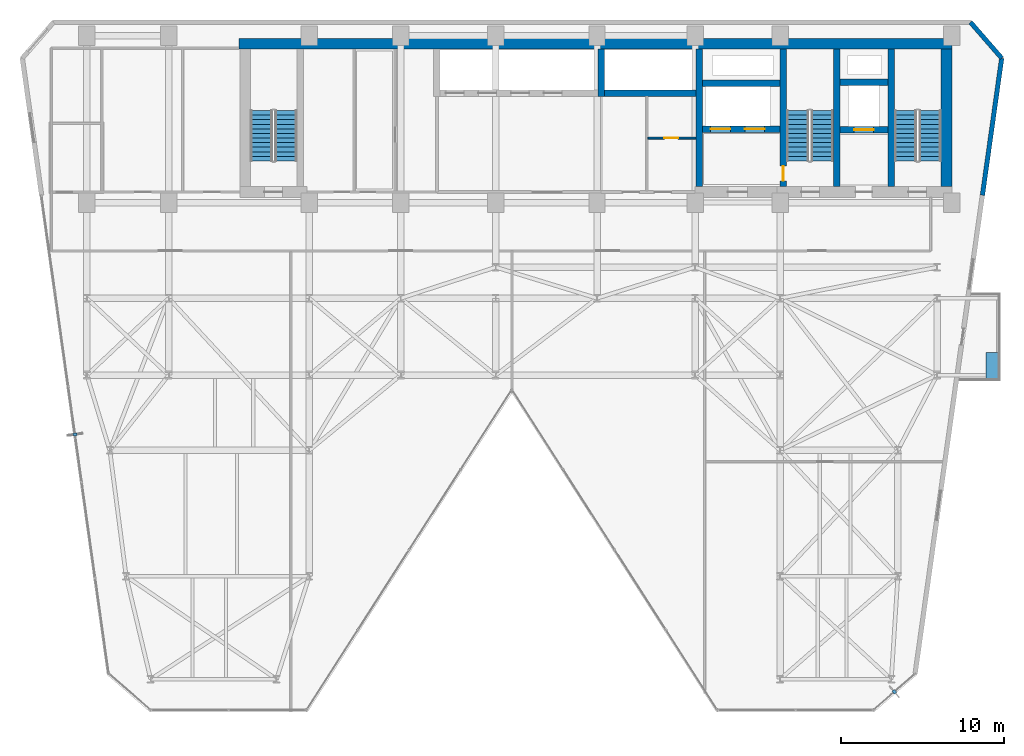
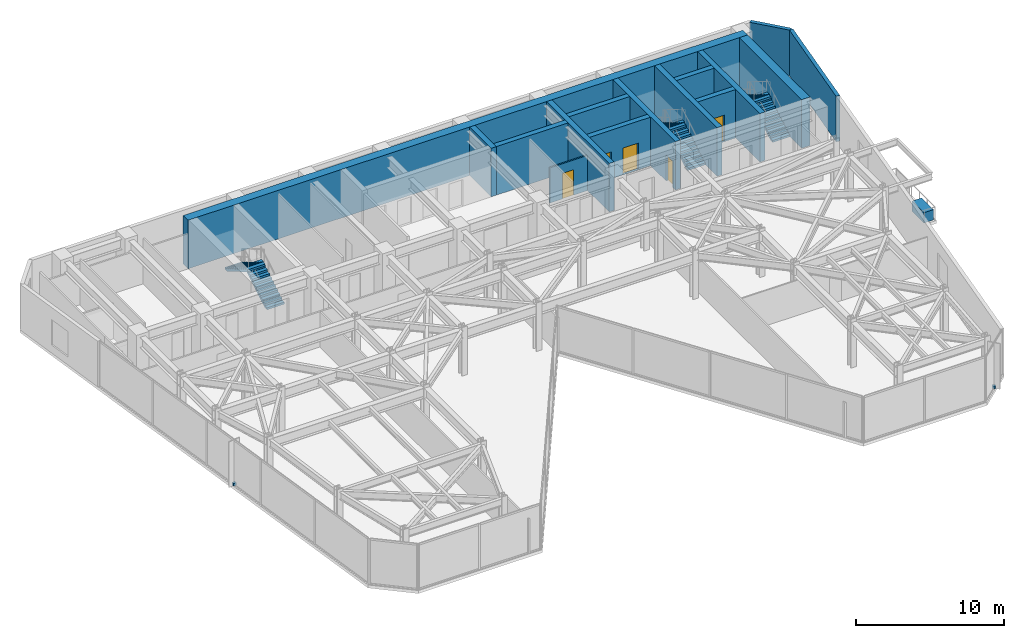
# One storey, part 23 of 26: 15 walls, 6 stair flights, 5 doors, 3 discrete accessories, 5 openings, 3 elements without a shape of their own.
"""IFC4 building model written with IfcOpenShell, lengths in metres."""

from ifc_helpers import new_model, si_unit, direction, frame, frame_2d, origin, origin_2d, place, context, subcontext, project, spatial, polyline, rectangle, outline, extrude, material, layer, layer_set, type_object, element, fill, aggregate, save


model = new_model("IFC4")

# Units and contexts
model_context = context("Model", 3, precision=1e-05, world=origin(), true_north=direction((0.0, 1.0)))
body_context = subcontext(model_context, "Body", "Model", "MODEL_VIEW")
ifc_project = project(units=[si_unit("LENGTHUNIT", "METRE"), si_unit("AREAUNIT", "SQUARE_METRE"), si_unit("VOLUMEUNIT", "CUBIC_METRE"), si_unit("PLANEANGLEUNIT", "RADIAN"), si_unit("MASSUNIT", "GRAM", prefix="KILO")], contexts=[model_context])

# Site, building, storey
site_placement = place(None, origin())
site = spatial("IfcSite", under=ifc_project, at=site_placement, CompositionType="ELEMENT")
building_placement = place(site_placement, origin())
building = spatial("IfcBuilding", under=site, at=building_placement, Name="Kravanh Interchange Tower", CompositionType="ELEMENT")
storey_placement = place(building_placement, frame((0.0, 0.0, 124.0)))
storey = spatial("IfcBuildingStorey", under=building, at=storey_placement, Name="L29", CompositionType="ELEMENT", Elevation=124.0)

# Wall, opening, door
ifc_material_1 = material(Name="Double Acoustic Gypsum Board and Mineral Wool")
ifc_layer_1 = layer(ifc_material_1, 0.1201171875)
ifc_layer_set_1 = layer_set([ifc_layer_1], Name="Acoustic Office Drywall Partition 120mm")
wall_type_1 = type_object("IfcWallType", Name="Acoustic Office Drywall Partition 120mm", PredefinedType="PARTITIONING", material=ifc_layer_set_1)
wall_1_placement = place(storey_placement, frame((47.91796875, 41.300048828125, 0.0), z_axis=(0.0, 0.0, 1.0), x_axis=(1.0, 0.0, 0.0)))
wall_1 = element("IfcWall", 1, at=wall_1_placement, inside=storey, type_object=wall_type_1, Name="L29 Interior Partition 3", PredefinedType="PARTITIONING", context=body_context, shape_type="SweptSolid", body=[
    extrude(rectangle(XDim=2.924072265625, YDim=0.1201171875, at=frame_2d((1.4619140625, 0.0))), origin(), (0.0, 0.0, 1.0), 2.89404296875),
])
opening_1_placement = place(wall_1_placement, frame((0.9912109375, 0.0, 0.0)))
opening_1 = element("IfcOpeningElement", 2, at=opening_1_placement, cuts=wall_1, Name="Opening D-85", PredefinedType="OPENING", context=body_context, shape_type="SweptSolid", body=[
    extrude(rectangle(XDim=0.85009765625, YDim=2.10009765625, at=frame_2d((0.425048828125, 1.050048828125))), frame((0.0, 0.070068359375, 0.0), z_axis=(0.0, -1.0, 0.0), x_axis=(1.0, 0.0, 0.0)), (0.0, 0.0, 1.0), 0.14013671875),
])
ifc_material_2 = material(Name="Engineered Teak Veneer Timber", Category="wood")
door_type_1 = type_object("IfcDoorType", Name="En-Suite Timber Door 850x2100", OperationType="NOTDEFINED", PredefinedType="DOOR", material=ifc_material_2)
door_1_placement = place(opening_1_placement, origin())
door_1 = element("IfcDoor", 3, at=door_1_placement, inside=storey, type_object=door_type_1, Name="L29 Core Supply Inner Door", OperationType="SINGLE_SWING_LEFT", OverallHeight=2.10009765625, OverallWidth=0.85009765625, PredefinedType="DOOR", context=body_context, shape_type="SweptSolid", body=[
    extrude(rectangle(XDim=0.85009765625, YDim=2.10009765625, at=frame_2d((0.425048828125, 1.050048828125))), frame((0.0, 0.02490234375, 0.0), z_axis=(0.0, -1.0, 0.0), x_axis=(1.0, 0.0, 0.0)), (0.0, 0.0, 1.0), 0.050048828125),
])
fill(opening_1, door_1)

# Walls
ifc_material_3 = material(Name="Concrete C70/85", Category="concrete")
ifc_layer_2 = layer(ifc_material_3, 0.64990234375)
ifc_layer_set_2 = layer_set([ifc_layer_2], Name="Core Shear Wall Concrete C70/85 650mm")
wall_type_2 = type_object("IfcWallType", Name="Core Shear Wall Concrete C70/85 650mm", PredefinedType="SHEAR", material=ifc_layer_set_2)
wall_2_placement = place(storey_placement, frame((22.89990234375, 47.074951171875, 0.0), z_axis=(0.0, 0.0, 1.0), x_axis=(1.0, 0.0, 0.0)))
element("IfcWall", 4, at=wall_2_placement, inside=storey, type_object=wall_type_2, Name="L29 North Core Shear Wall", PredefinedType="SHEAR", context=body_context, shape_type="SweptSolid", body=[
    extrude(rectangle(XDim=43.60009765625, YDim=0.64990234375, at=frame_2d((21.800048828125, 0.0))), origin(), (0.0, 0.0, 1.0), 4.0),
])
wall_3_placement = place(storey_placement, frame((66.175048828125, 38.324951171875, 0.0), z_axis=(0.0, 0.0, 1.0), x_axis=(0.0, 1.0, 0.0)))
element("IfcWall", 5, at=wall_3_placement, inside=storey, type_object=wall_type_2, Name="L29 Stair ST1 East Shear Wall", PredefinedType="SHEAR", context=body_context, shape_type="SweptSolid", body=[
    extrude(rectangle(XDim=8.425048828125, YDim=0.64990234375, at=frame_2d((4.21240234375, 0.0))), origin(), (0.0, 0.0, 1.0), 4.0),
])
ifc_material_4 = material(Name="Concrete C80/95", Category="concrete")
ifc_layer_3 = layer(ifc_material_4, 0.39990234375)
ifc_layer_set_3 = layer_set([ifc_layer_3], Name="Core Shear Wall Concrete C80/95 400mm")
wall_type_3 = type_object("IfcWallType", Name="Core Shear Wall Concrete C80/95 400mm", PredefinedType="SHEAR", material=ifc_layer_set_3)
for number, where, z_axis, x_axis, name in (
    (6, (62.800048828125, 38.324951171875, 0.0), (0.0, 0.0, 1.0), (0.0, 1.0, 0.0), "L29 Stair ST1 West Shear Wall"),
    (7, (59.449951171875, 38.324951171875, 0.0), (0.0, 0.0, 1.0), (0.0, 1.0, 0.0), "L29 Stair ST2 East Shear Wall"),
):
    element("IfcWall", number, at=place(storey_placement, frame(where, z_axis=z_axis, x_axis=x_axis)), inside=storey, type_object=wall_type_3, Name=name, PredefinedType="SHEAR", context=body_context, shape_type="SweptSolid", body=[
        extrude(rectangle(XDim=8.425048828125, YDim=0.39990234375, at=frame_2d((4.21240234375, 0.0))), origin(), (0.0, 0.0, 1.0), 4.0),
    ])

# Wall, opening, door
wall_4_placement = place(storey_placement, frame((56.199951171875, 38.324951171875, 0.0), z_axis=(0.0, 0.0, 1.0), x_axis=(0.0, 1.0, 0.0)))
wall_4 = element("IfcWall", 8, at=wall_4_placement, inside=storey, type_object=wall_type_3, Name="L29 Stair ST2 West Shear Wall", PredefinedType="SHEAR", context=body_context, shape_type="SweptSolid", body=[
    extrude(rectangle(XDim=8.425048828125, YDim=0.39990234375, at=frame_2d((4.21240234375, 0.0))), origin(), (0.0, 0.0, 1.0), 4.0),
])
opening_2_placement = place(wall_4_placement, frame((0.35498046875, 0.0, 0.0)))
opening_2 = element("IfcOpeningElement", 9, at=opening_2_placement, cuts=wall_4, Name="Opening D-STAIR-90", PredefinedType="OPENING", context=body_context, shape_type="SweptSolid", body=[
    extrude(rectangle(XDim=0.89990234375, YDim=2.14990234375, at=frame_2d((0.449951171875, 1.074951171875))), frame((0.0, 0.2099609375, 0.0), z_axis=(0.0, -1.0, 0.0), x_axis=(1.0, 0.0, 0.0)), (0.0, 0.0, 1.0), 0.419921875),
])
ifc_material_5 = material(Name="Structural Steel S355", Category="steel")
door_type_2 = type_object("IfcDoorType", Name="Fire-Rated Stair Lobby Door 900x2150", OperationType="NOTDEFINED", PredefinedType="DOOR", material=ifc_material_5)
door_2_placement = place(opening_2_placement, origin())
door_2 = element("IfcDoor", 10, at=door_2_placement, inside=storey, type_object=door_type_2, Name="L29 Firefighting Lobby to Stair ST2 Door", OperationType="SINGLE_SWING_LEFT", OverallHeight=2.14990234375, OverallWidth=0.89990234375, PredefinedType="DOOR", context=body_context, shape_type="SweptSolid", body=[
    extrude(rectangle(XDim=0.89990234375, YDim=2.14990234375, at=frame_2d((0.449951171875, 1.074951171875))), frame((0.0, 0.02490234375, 0.0), z_axis=(0.0, -1.0, 0.0), x_axis=(1.0, 0.0, 0.0)), (0.0, 0.0, 1.0), 0.050048828125),
])
fill(opening_2, door_2)

wall_5_placement = place(storey_placement, frame((59.64990234375, 41.800048828125, 0.0), z_axis=(0.0, 0.0, 1.0), x_axis=(1.0, 0.0, 0.0)))
wall_5 = element("IfcWall", 11, at=wall_5_placement, inside=storey, type_object=wall_type_3, Name="L29 Service Lift Shaft South Wall", PredefinedType="SHEAR", context=body_context, shape_type="SweptSolid", body=[
    extrude(rectangle(XDim=2.9501953125, YDim=0.39990234375, at=frame_2d((1.47509765625, 0.0))), origin(), (0.0, 0.0, 1.0), 4.0),
])
opening_3_placement = place(wall_5_placement, frame((0.8701171875, 0.0, 0.0)))
opening_3 = element("IfcOpeningElement", 12, at=opening_3_placement, cuts=wall_5, Name="Opening LD02", PredefinedType="OPENING", context=body_context, shape_type="SweptSolid", body=[
    extrude(rectangle(XDim=1.199951171875, YDim=2.199951171875, at=frame_2d((0.60009765625, 1.10009765625))), frame((0.0, 0.2099609375, 0.0), z_axis=(0.0, -1.0, 0.0), x_axis=(1.0, 0.0, 0.0)), (0.0, 0.0, 1.0), 0.419921875),
])
ifc_material_6 = material(Name="Stainless Steel 316", Category="steel")
door_type_3 = type_object("IfcDoorType", Name="Fire and Service Lift Sliding Landing Door 1200x2200", OperationType="DOUBLE_DOOR_SLIDING", PredefinedType="DOOR", material=ifc_material_6)
door_3_placement = place(opening_3_placement, origin())
door_3 = element("IfcDoor", 13, at=door_3_placement, inside=storey, type_object=door_type_3, Name="L29 Lift LS-01 Landing Door", OperationType="DOUBLE_DOOR_SLIDING", OverallHeight=2.199951171875, OverallWidth=1.199951171875, PredefinedType="DOOR", context=body_context, shape_type="SweptSolid", body=[
    extrude(rectangle(XDim=1.199951171875, YDim=2.199951171875, at=frame_2d((0.60009765625, 1.10009765625))), frame((0.0, 0.02490234375, 0.0), z_axis=(0.0, -1.0, 0.0), x_axis=(1.0, 0.0, 0.0)), (0.0, 0.0, 1.0), 0.050048828125),
])
fill(opening_3, door_3)

# Wall
wall_6_placement = place(storey_placement, frame((59.64990234375, 44.699951171875, 0.0), z_axis=(0.0, 0.0, 1.0), x_axis=(1.0, 0.0, 0.0)))
element("IfcWall", 14, at=wall_6_placement, inside=storey, type_object=wall_type_3, Name="L29 Service Lift Shaft North Wall", PredefinedType="SHEAR", context=body_context, shape_type="SweptSolid", body=[
    extrude(rectangle(XDim=2.9501953125, YDim=0.39990234375, at=frame_2d((1.47509765625, 0.0))), origin(), (0.0, 0.0, 1.0), 4.0),
])

# Wall, openings, doors
wall_7_placement = place(storey_placement, frame((51.25, 41.85009765625, 0.0), z_axis=(0.0, 0.0, 1.0), x_axis=(1.0, 0.0, 0.0)))
wall_7 = element("IfcWall", 15, at=wall_7_placement, inside=storey, type_object=wall_type_3, Name="L29 Fire Lift Shaft South Wall", PredefinedType="SHEAR", context=body_context, shape_type="SweptSolid", body=[
    extrude(rectangle(XDim=4.75, YDim=0.39990234375, at=frame_2d((2.375, 0.0))), origin(), (0.0, 0.0, 1.0), 4.0),
])
opening_4_placement = place(wall_7_placement, frame((0.5, 0.0, 0.0)))
opening_4 = element("IfcOpeningElement", 16, at=opening_4_placement, cuts=wall_7, Name="Opening LD02", PredefinedType="OPENING", context=body_context, shape_type="SweptSolid", body=[
    extrude(rectangle(XDim=1.199951171875, YDim=2.199951171875, at=frame_2d((0.60009765625, 1.10009765625))), frame((0.0, 0.2099609375, 0.0), z_axis=(0.0, -1.0, 0.0), x_axis=(1.0, 0.0, 0.0)), (0.0, 0.0, 1.0), 0.419921875),
])
opening_5_placement = place(wall_7_placement, frame((2.60009765625, 0.0, 0.0)))
opening_5 = element("IfcOpeningElement", 17, at=opening_5_placement, cuts=wall_7, Name="Opening LD02", PredefinedType="OPENING", context=body_context, shape_type="SweptSolid", body=[
    extrude(rectangle(XDim=1.199951171875, YDim=2.199951171875, at=frame_2d((0.60009765625, 1.10009765625))), frame((0.0, 0.2099609375, 0.0), z_axis=(0.0, -1.0, 0.0), x_axis=(1.0, 0.0, 0.0)), (0.0, 0.0, 1.0), 0.419921875),
])
door_4_placement = place(opening_4_placement, origin())
door_4 = element("IfcDoor", 18, at=door_4_placement, inside=storey, type_object=door_type_3, Name="L29 Lift FSAE-01 Landing Door", OperationType="DOUBLE_DOOR_SLIDING", OverallHeight=2.199951171875, OverallWidth=1.199951171875, PredefinedType="DOOR", context=body_context, shape_type="SweptSolid", body=[
    extrude(rectangle(XDim=1.199951171875, YDim=2.199951171875, at=frame_2d((0.60009765625, 1.10009765625))), frame((0.0, 0.02490234375, 0.0), z_axis=(0.0, -1.0, 0.0), x_axis=(1.0, 0.0, 0.0)), (0.0, 0.0, 1.0), 0.050048828125),
])
fill(opening_4, door_4)
door_5_placement = place(opening_5_placement, origin())
door_5 = element("IfcDoor", 19, at=door_5_placement, inside=storey, type_object=door_type_3, Name="L29 Lift FSAE-02 Landing Door", OperationType="DOUBLE_DOOR_SLIDING", OverallHeight=2.199951171875, OverallWidth=1.199951171875, PredefinedType="DOOR", context=body_context, shape_type="SweptSolid", body=[
    extrude(rectangle(XDim=1.199951171875, YDim=2.199951171875, at=frame_2d((0.60009765625, 1.10009765625))), frame((0.0, 0.02490234375, 0.0), z_axis=(0.0, -1.0, 0.0), x_axis=(1.0, 0.0, 0.0)), (0.0, 0.0, 1.0), 0.050048828125),
])
fill(opening_5, door_5)

# Walls
wall_8_placement = place(storey_placement, frame((51.25, 44.64990234375, 0.0), z_axis=(0.0, 0.0, 1.0), x_axis=(1.0, 0.0, 0.0)))
element("IfcWall", 20, at=wall_8_placement, inside=storey, type_object=wall_type_3, Name="L29 Fire Lift Shaft North Wall", PredefinedType="SHEAR", context=body_context, shape_type="SweptSolid", body=[
    extrude(rectangle(XDim=4.75, YDim=0.39990234375, at=frame_2d((2.375, 0.0))), origin(), (0.0, 0.0, 1.0), 4.0),
])
wall_9_placement = place(storey_placement, frame((51.050048828125, 38.324951171875, 0.0), z_axis=(0.0, 0.0, 1.0), x_axis=(0.0, 1.0, 0.0)))
element("IfcWall", 21, at=wall_9_placement, inside=storey, type_object=wall_type_3, Name="L29 Firefighting Lobby West Wall", PredefinedType="SHEAR", context=body_context, shape_type="SweptSolid", body=[
    extrude(rectangle(XDim=8.425048828125, YDim=0.39990234375, at=frame_2d((4.21240234375, 0.0))), origin(), (0.0, 0.0, 1.0), 4.0),
])
wall_10_placement = place(storey_placement, frame((45.25, 44.050048828125, 0.0), z_axis=(0.0, 0.0, 1.0), x_axis=(1.0, 0.0, 0.0)))
element("IfcWall", 22, at=wall_10_placement, inside=storey, type_object=wall_type_3, Name="L29 High-Rise Lift Shaft South Wall", PredefinedType="SHEAR", context=body_context, shape_type="SweptSolid", body=[
    extrude(rectangle(XDim=5.60009765625, YDim=0.39990234375, at=frame_2d((2.800048828125, 0.0))), origin(), (0.0, 0.0, 1.0), 4.0),
])
wall_11_placement = place(storey_placement, frame((45.050048828125, 43.85009765625, 0.0), z_axis=(0.0, 0.0, 1.0), x_axis=(0.0, 1.0, 0.0)))
element("IfcWall", 23, at=wall_11_placement, inside=storey, type_object=wall_type_3, Name="L29 High-Rise Lift Shaft West Wall", PredefinedType="SHEAR", context=body_context, shape_type="SweptSolid", body=[
    extrude(rectangle(XDim=2.89990234375, YDim=0.39990234375, at=frame_2d((1.449951171875, 0.0))), origin(), (0.0, 0.0, 1.0), 4.0),
])
ifc_material_7 = material(Name="Insulated Precast Concrete C40/50 with Bronze Cladding", Category="concrete")
ifc_layer_4 = layer(ifc_material_7, 0.280029296875)
ifc_layer_set_4 = layer_set([ifc_layer_4], Name="Exterior Insulated Concrete C40/50 Bronze Spandrel Wall 280mm")
wall_type_4 = type_object("IfcWallType", Name="Exterior Insulated Concrete C40/50 Bronze Spandrel Wall 280mm", PredefinedType="STANDARD", material=ifc_layer_set_4)
wall_12_placement = place(storey_placement, frame((67.645263671875, 48.3798828125, 0.0), z_axis=(0.0, 0.0, 1.0), x_axis=(0.656070644076, -0.754699483226, 0.0)))
element("IfcWall", 24, at=wall_12_placement, inside=storey, type_object=wall_type_4, Name="L29 Exterior Wall 4", PredefinedType="STANDARD", context=body_context, shape_type="SweptSolid", body=[
    extrude(rectangle(XDim=2.908447265625, YDim=0.280029296875, at=frame_2d((1.4541015625, 0.0))), origin(), (0.0, 0.0, 1.0), 3.75),
])
wall_13_placement = place(storey_placement, frame((69.553466796875, 46.184814453125, 0.0), z_axis=(0.0, 0.0, 1.0), x_axis=(-0.139180610108, -0.990267013371, 0.0)))
element("IfcWall", 25, at=wall_13_placement, inside=storey, type_object=wall_type_4, Name="L29 Exterior Wall 5", PredefinedType="STANDARD", context=body_context, shape_type="SweptSolid", body=[
    extrude(rectangle(XDim=8.46728515625, YDim=0.280029296875, at=frame_2d((4.233642578125, 0.0))), origin(), (0.0, 0.0, 1.0), 3.75),
])

# Stair, stair flights
ifc_material_8 = material(Name="Concrete C50/60", Category="concrete")
stair_type = type_object("IfcStairType", Name="Core Fire Exit Dogleg Stair Concrete C50/60", PredefinedType="HALF_TURN_STAIR", material=ifc_material_8)
stair_1_placement = place(storey_placement, origin())
stair_1 = element("IfcStair", 26, at=stair_1_placement, inside=storey, type_object=stair_type, Name="L29 Exit Stair ST1", PredefinedType="HALF_TURN_STAIR")
ifc_material_9 = material(Name="Precast Concrete C50/60", Category="concrete")
ifc_layer_5 = layer(ifc_material_9, 0.199951171875)
ifc_layer_set_5 = layer_set([ifc_layer_5], Name="Precast Concrete C50/60 Stair Flight 1350mm")
stair_flight_type = type_object("IfcStairFlightType", Name="Precast Concrete C50/60 Stair Flight 1350mm", PredefinedType="STRAIGHT", material=ifc_layer_set_5)
stair_flight_1_placement = place(storey_placement, frame((65.175048828125, 39.89990234375, 0.0), z_axis=(0.0, 0.0, 1.0), x_axis=(0.0, 1.0, 0.0)))
stair_flight_1 = element("IfcStairFlight", 27, at=stair_flight_1_placement, type_object=stair_flight_type, Name="ST1 flight 1", NumberOfRisers=12, NumberOfTreads=11, PredefinedType="STRAIGHT", RiserHeight=0.166666667, TreadLength=0.28, context=body_context, shape_type="SweptSolid", body=[
    extrude(outline(polyline([(0.0, 0.0), (0.0, 0.166748046875), (0.280029296875, 0.166748046875), (0.280029296875, 0.333251953125), (0.56005859375, 0.333251953125), (0.56005859375, 0.5), (0.840087890625, 0.5), (0.840087890625, 0.666748046875), (1.1201171875, 0.666748046875), (1.1201171875, 0.833251953125), (1.39990234375, 0.833251953125), (1.39990234375, 1.0), (1.679931640625, 1.0), (1.679931640625, 1.166748046875), (1.9599609375, 1.166748046875), (1.9599609375, 1.333251953125), (2.239990234375, 1.333251953125), (2.239990234375, 1.5), (2.52001953125, 1.5), (2.52001953125, 1.666748046875), (2.800048828125, 1.666748046875), (2.800048828125, 1.833251953125), (3.080078125, 1.833251953125), (3.080078125, 2.0), (3.080078125, 1.658935546875), (0.29296875, 0.0), (0.0, 0.0)])), frame((0.0, 0.675048828125, 0.0), z_axis=(0.0, -1.0, 0.0), x_axis=(1.0, 0.0, 0.0)), (0.0, 0.0, 1.0), 1.35009765625),
])
stair_flight_2_placement = place(storey_placement, frame((63.675048828125, 42.97998046875, 2.0), z_axis=(0.0, 0.0, 1.0), x_axis=(0.0, -1.0, 0.0)))
stair_flight_2 = element("IfcStairFlight", 28, at=stair_flight_2_placement, type_object=stair_flight_type, Name="ST1 flight 2", NumberOfRisers=12, NumberOfTreads=11, PredefinedType="STRAIGHT", RiserHeight=0.166666667, TreadLength=0.28, context=body_context, shape_type="SweptSolid", body=[
    extrude(outline(polyline([(0.0, 0.0), (0.0, 0.166748046875), (0.280029296875, 0.166748046875), (0.280029296875, 0.333251953125), (0.56005859375, 0.333251953125), (0.56005859375, 0.5), (0.840087890625, 0.5), (0.840087890625, 0.666748046875), (1.1201171875, 0.666748046875), (1.1201171875, 0.833251953125), (1.39990234375, 0.833251953125), (1.39990234375, 1.0), (1.679931640625, 1.0), (1.679931640625, 1.166748046875), (1.9599609375, 1.166748046875), (1.9599609375, 1.333251953125), (2.239990234375, 1.333251953125), (2.239990234375, 1.5), (2.52001953125, 1.5), (2.52001953125, 1.666748046875), (2.800048828125, 1.666748046875), (2.800048828125, 1.833251953125), (3.080078125, 1.833251953125), (3.080078125, 2.0), (3.080078125, 1.658935546875), (0.29296875, 0.0), (0.0, 0.0)])), frame((0.0, 0.675048828125, 0.0), z_axis=(0.0, -1.0, 0.0), x_axis=(1.0, 0.0, 0.0)), (0.0, 0.0, 1.0), 1.35009765625),
])
aggregate(stair_1, [stair_flight_1, stair_flight_2])

stair_2_placement = place(storey_placement, origin())
stair_2 = element("IfcStair", 29, at=stair_2_placement, inside=storey, type_object=stair_type, Name="L29 Exit Stair ST2", PredefinedType="HALF_TURN_STAIR")
stair_flight_3_placement = place(storey_placement, frame((58.574951171875, 39.89990234375, 0.0), z_axis=(0.0, 0.0, 1.0), x_axis=(0.0, 1.0, 0.0)))
stair_flight_3 = element("IfcStairFlight", 30, at=stair_flight_3_placement, type_object=stair_flight_type, Name="ST2 flight 1", NumberOfRisers=12, NumberOfTreads=11, PredefinedType="STRAIGHT", RiserHeight=0.166666667, TreadLength=0.28, context=body_context, shape_type="SweptSolid", body=[
    extrude(outline(polyline([(0.0, 0.0), (0.0, 0.166748046875), (0.280029296875, 0.166748046875), (0.280029296875, 0.333251953125), (0.56005859375, 0.333251953125), (0.56005859375, 0.5), (0.840087890625, 0.5), (0.840087890625, 0.666748046875), (1.1201171875, 0.666748046875), (1.1201171875, 0.833251953125), (1.39990234375, 0.833251953125), (1.39990234375, 1.0), (1.679931640625, 1.0), (1.679931640625, 1.166748046875), (1.9599609375, 1.166748046875), (1.9599609375, 1.333251953125), (2.239990234375, 1.333251953125), (2.239990234375, 1.5), (2.52001953125, 1.5), (2.52001953125, 1.666748046875), (2.800048828125, 1.666748046875), (2.800048828125, 1.833251953125), (3.080078125, 1.833251953125), (3.080078125, 2.0), (3.080078125, 1.658935546875), (0.29296875, 0.0), (0.0, 0.0)])), frame((0.0, 0.675048828125, 0.0), z_axis=(0.0, -1.0, 0.0), x_axis=(1.0, 0.0, 0.0)), (0.0, 0.0, 1.0), 1.35009765625),
])
stair_flight_4_placement = place(storey_placement, frame((57.074951171875, 42.97998046875, 2.0), z_axis=(0.0, 0.0, 1.0), x_axis=(0.0, -1.0, 0.0)))
stair_flight_4 = element("IfcStairFlight", 31, at=stair_flight_4_placement, type_object=stair_flight_type, Name="ST2 flight 2", NumberOfRisers=12, NumberOfTreads=11, PredefinedType="STRAIGHT", RiserHeight=0.166666667, TreadLength=0.28, context=body_context, shape_type="SweptSolid", body=[
    extrude(outline(polyline([(0.0, 0.0), (0.0, 0.166748046875), (0.280029296875, 0.166748046875), (0.280029296875, 0.333251953125), (0.56005859375, 0.333251953125), (0.56005859375, 0.5), (0.840087890625, 0.5), (0.840087890625, 0.666748046875), (1.1201171875, 0.666748046875), (1.1201171875, 0.833251953125), (1.39990234375, 0.833251953125), (1.39990234375, 1.0), (1.679931640625, 1.0), (1.679931640625, 1.166748046875), (1.9599609375, 1.166748046875), (1.9599609375, 1.333251953125), (2.239990234375, 1.333251953125), (2.239990234375, 1.5), (2.52001953125, 1.5), (2.52001953125, 1.666748046875), (2.800048828125, 1.666748046875), (2.800048828125, 1.833251953125), (3.080078125, 1.833251953125), (3.080078125, 2.0), (3.080078125, 1.658935546875), (0.29296875, 0.0), (0.0, 0.0)])), frame((0.0, 0.675048828125, 0.0), z_axis=(0.0, -1.0, 0.0), x_axis=(1.0, 0.0, 0.0)), (0.0, 0.0, 1.0), 1.35009765625),
])
aggregate(stair_2, [stair_flight_3, stair_flight_4])

stair_3_placement = place(storey_placement, origin())
stair_3 = element("IfcStair", 32, at=stair_3_placement, inside=storey, type_object=stair_type, Name="L29 Exit Stair ST3", PredefinedType="HALF_TURN_STAIR")
stair_flight_5_placement = place(storey_placement, frame((25.77490234375, 39.89990234375, 0.0), z_axis=(0.0, 0.0, 1.0), x_axis=(0.0, 1.0, 0.0)))
stair_flight_5 = element("IfcStairFlight", 33, at=stair_flight_5_placement, type_object=stair_flight_type, Name="ST3 flight 1", NumberOfRisers=12, NumberOfTreads=11, PredefinedType="STRAIGHT", RiserHeight=0.166666667, TreadLength=0.28, context=body_context, shape_type="SweptSolid", body=[
    extrude(outline(polyline([(0.0, 0.0), (0.0, 0.166748046875), (0.280029296875, 0.166748046875), (0.280029296875, 0.333251953125), (0.56005859375, 0.333251953125), (0.56005859375, 0.5), (0.840087890625, 0.5), (0.840087890625, 0.666748046875), (1.1201171875, 0.666748046875), (1.1201171875, 0.833251953125), (1.39990234375, 0.833251953125), (1.39990234375, 1.0), (1.679931640625, 1.0), (1.679931640625, 1.166748046875), (1.9599609375, 1.166748046875), (1.9599609375, 1.333251953125), (2.239990234375, 1.333251953125), (2.239990234375, 1.5), (2.52001953125, 1.5), (2.52001953125, 1.666748046875), (2.800048828125, 1.666748046875), (2.800048828125, 1.833251953125), (3.080078125, 1.833251953125), (3.080078125, 2.0), (3.080078125, 1.658935546875), (0.29296875, 0.0), (0.0, 0.0)])), frame((0.0, 0.675048828125, 0.0), z_axis=(0.0, -1.0, 0.0), x_axis=(1.0, 0.0, 0.0)), (0.0, 0.0, 1.0), 1.35009765625),
])
stair_flight_6_placement = place(storey_placement, frame((24.27490234375, 42.97998046875, 2.0), z_axis=(0.0, 0.0, 1.0), x_axis=(0.0, -1.0, 0.0)))
stair_flight_6 = element("IfcStairFlight", 34, at=stair_flight_6_placement, type_object=stair_flight_type, Name="ST3 flight 2", NumberOfRisers=12, NumberOfTreads=11, PredefinedType="STRAIGHT", RiserHeight=0.166666667, TreadLength=0.28, context=body_context, shape_type="SweptSolid", body=[
    extrude(outline(polyline([(0.0, 0.0), (0.0, 0.166748046875), (0.280029296875, 0.166748046875), (0.280029296875, 0.333251953125), (0.56005859375, 0.333251953125), (0.56005859375, 0.5), (0.840087890625, 0.5), (0.840087890625, 0.666748046875), (1.1201171875, 0.666748046875), (1.1201171875, 0.833251953125), (1.39990234375, 0.833251953125), (1.39990234375, 1.0), (1.679931640625, 1.0), (1.679931640625, 1.166748046875), (1.9599609375, 1.166748046875), (1.9599609375, 1.333251953125), (2.239990234375, 1.333251953125), (2.239990234375, 1.5), (2.52001953125, 1.5), (2.52001953125, 1.666748046875), (2.800048828125, 1.666748046875), (2.800048828125, 1.833251953125), (3.080078125, 1.833251953125), (3.080078125, 2.0), (3.080078125, 1.658935546875), (0.29296875, 0.0), (0.0, 0.0)])), frame((0.0, 0.675048828125, 0.0), z_axis=(0.0, -1.0, 0.0), x_axis=(1.0, 0.0, 0.0)), (0.0, 0.0, 1.0), 1.35009765625),
])
aggregate(stair_3, [stair_flight_5, stair_flight_6])

# Discrete accessories
ifc_material_10 = material(Name="Stainless Steel 316", Category="steel")
discrete_accessory_type_1 = type_object("IfcDiscreteAccessoryType", Name="Solar Fin Curtain-Wall Mounting Bracket Stainless 316", PredefinedType="BRACKET", material=ifc_material_10)
for number, where, z_axis, x_axis, name in (
    (35, (12.881103515625, 23.16943359375, 0.0), (0.0, 0.0, 1.0), (-0.990268017027, -0.139173468924, 0.0), "L29 Solar Fin Mounting Bracket 1"),
    (36, (62.986328125, 7.429443359375, 0.0), (0.0, 0.0, 1.0), (0.656056045951, -0.754712173329, 0.0), "L29 Solar Fin Mounting Bracket 2"),
):
    element("IfcDiscreteAccessory", number, at=place(storey_placement, frame(where, z_axis=z_axis, x_axis=x_axis)), inside=storey, type_object=discrete_accessory_type_1, Name=name, PredefinedType="BRACKET", context=body_context, shape_type="SweptSolid", body=[
        extrude(rectangle(XDim=0.239990234375, YDim=0.179931640625, at=origin_2d()), origin(), (0.0, 0.0, 1.0), 0.219970703125),
    ])
ifc_material_11 = material(Name="Architectural GRC Concrete C40/50 with Root Barrier", Category="concrete")
discrete_accessory_type_2 = type_object("IfcDiscreteAccessoryType", Name="Structural Balcony Tree Planter Box Concrete C40/50 1600x750x850", PredefinedType="USERDEFINED", material=ifc_material_11)
discrete_accessory_placement = place(storey_placement, frame((68.969970703125, 27.3798828125, 0.0), z_axis=(0.0, 0.0, 1.0), x_axis=(1.0, 0.0, 0.0)))
element("IfcDiscreteAccessory", 37, at=discrete_accessory_placement, inside=storey, type_object=discrete_accessory_type_2, Name="L29 E Balcony TREE PLANTER", ObjectType="PLANTER", PredefinedType="USERDEFINED", context=body_context, shape_type="SweptSolid", body=[
    extrude(rectangle(XDim=0.75, YDim=1.60009765625, at=origin_2d()), origin(), (0.0, 0.0, 1.0), 0.85009765625),
])

save(model, "model.ifc")
